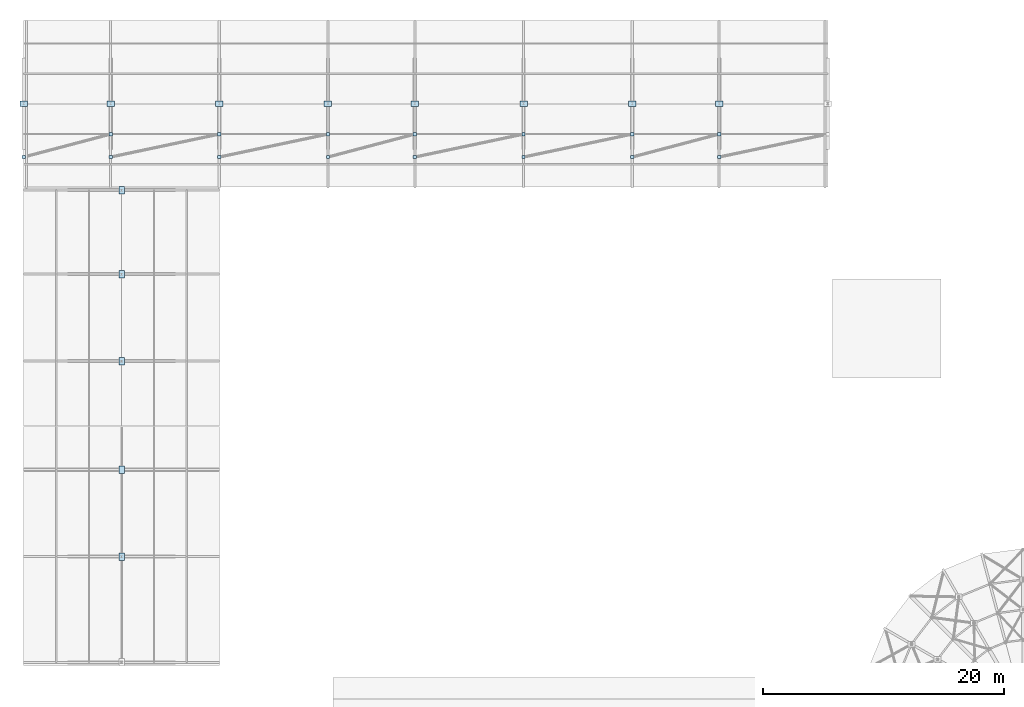
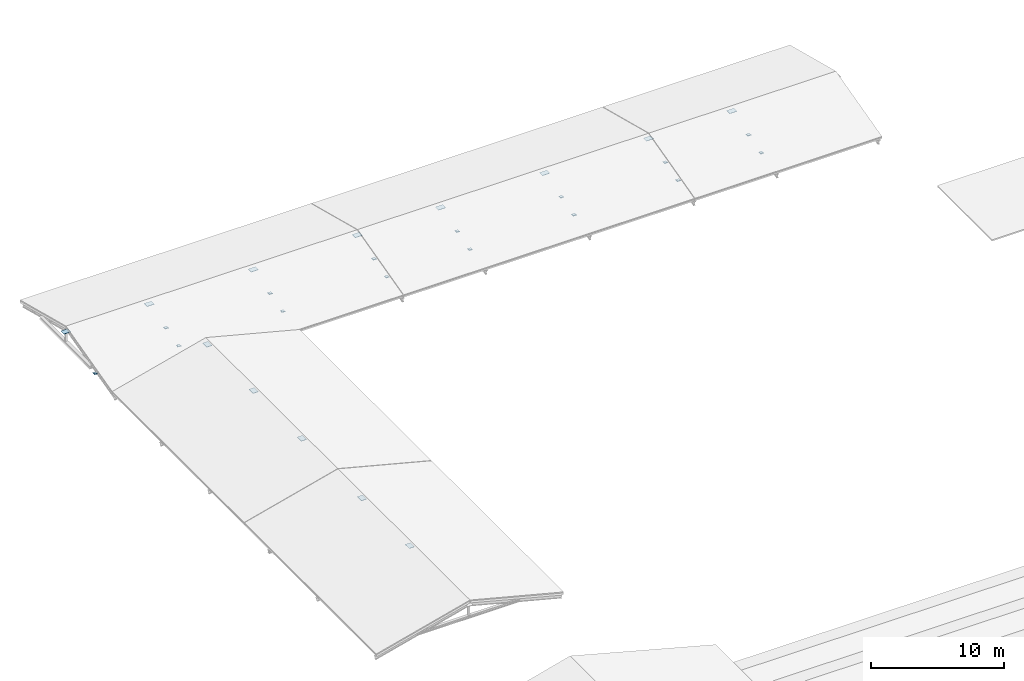
# One storey, part 26 of 31: 28 plates.
"""IFC4 building model written with IfcOpenShell, lengths in metres."""

from ifc_helpers import new_model, si_unit, direction, frame, origin, origin_2d, place, context, subcontext, project, spatial, rectangle, extrude, material, layer, layer_set, type_object, element, save


model = new_model("IFC4")

# Units and contexts
model_context = context("Model", 3, precision=1e-05, world=origin(), true_north=direction((0.0, 1.0)))
body_context = subcontext(model_context, "Body", "Model", "MODEL_VIEW")
ifc_project = project(units=[si_unit("LENGTHUNIT", "METRE"), si_unit("AREAUNIT", "SQUARE_METRE"), si_unit("VOLUMEUNIT", "CUBIC_METRE"), si_unit("PLANEANGLEUNIT", "RADIAN"), si_unit("MASSUNIT", "GRAM", prefix="KILO")], contexts=[model_context])

# Site, building, storey
site_placement = place(None, origin())
site = spatial("IfcSite", under=ifc_project, at=site_placement, CompositionType="ELEMENT")
building_placement = place(site_placement, origin())
building = spatial("IfcBuilding", under=site, at=building_placement, Name="Clarverna Civic Hall", CompositionType="ELEMENT")
storey_placement = place(building_placement, frame((0.0, 0.0, 31.199951171875)))
storey = spatial("IfcBuildingStorey", under=building, at=storey_placement, Name="RF", CompositionType="ELEMENT", Elevation=31.199951171875)

# Plates
ifc_material = material(Name="Steel S355", Category="steel")
ifc_layer_1 = layer(ifc_material, 0.02001953125)
ifc_layer_set_1 = layer_set([ifc_layer_1], Name="Steel S355")
plate_type_1 = type_object("IfcPlateType", Name="NP-05", PredefinedType="SHEET", material=ifc_layer_set_1)
for number, where, z_axis, x_axis, name in (
    (1, (0.0, 104.699951171875, -10.513427734375), (0.0, 0.0, 1.0), (1.0, 0.0, 0.0), "NP-05-001"),
    (2, (7.199951171875, 106.60009765625, -10.02197265625), (0.0, 0.0, 1.0), (1.0, 0.0, 0.0), "NP-05-002"),
    (3, (7.199951171875, 104.699951171875, -10.513427734375), (0.0, 0.0, 1.0), (1.0, 0.0, 0.0), "NP-05-003"),
    (4, (16.199951171875, 106.60009765625, -10.02197265625), (0.0, 0.0, 1.0), (1.0, 0.0, 0.0), "NP-05-004"),
    (5, (16.199951171875, 104.699951171875, -10.513427734375), (0.0, 0.0, 1.0), (1.0, 0.0, 0.0), "NP-05-005"),
    (6, (25.199951171875, 106.60009765625, -10.02197265625), (0.0, 0.0, 1.0), (1.0, 0.0, 0.0), "NP-05-006"),
    (7, (25.199951171875, 104.699951171875, -10.513427734375), (0.0, 0.0, 1.0), (1.0, 0.0, 0.0), "NP-05-007"),
    (8, (32.39990234375, 106.60009765625, -10.02197265625), (0.0, 0.0, 1.0), (1.0, 0.0, 0.0), "NP-05-008"),
    (9, (32.39990234375, 104.699951171875, -10.513427734375), (0.0, 0.0, 1.0), (1.0, 0.0, 0.0), "NP-05-009"),
    (10, (41.39990234375, 106.60009765625, -10.02197265625), (0.0, 0.0, 1.0), (1.0, 0.0, 0.0), "NP-05-010"),
    (11, (41.39990234375, 104.699951171875, -10.513427734375), (0.0, 0.0, 1.0), (1.0, 0.0, 0.0), "NP-05-011"),
    (12, (50.39990234375, 106.60009765625, -10.02197265625), (0.0, 0.0, 1.0), (1.0, 0.0, 0.0), "NP-05-012"),
    (13, (50.39990234375, 104.699951171875, -10.513427734375), (0.0, 0.0, 1.0), (1.0, 0.0, 0.0), "NP-05-013"),
    (14, (57.60009765625, 106.60009765625, -10.02197265625), (0.0, 0.0, 1.0), (1.0, 0.0, 0.0), "NP-05-014"),
    (15, (57.60009765625, 104.699951171875, -10.513427734375), (0.0, 0.0, 1.0), (1.0, 0.0, 0.0), "NP-05-015"),
):
    element("IfcPlate", number, at=place(storey_placement, frame(where, z_axis=z_axis, x_axis=x_axis)), inside=storey, type_object=plate_type_1, Name=name, PredefinedType="SHEET", context=body_context, shape_type="SweptSolid", body=[
        extrude(rectangle(XDim=0.280029296875, YDim=0.280029296875, at=origin_2d()), origin(), (0.0, 0.0, 1.0), 0.02001953125),
    ])
ifc_layer_2 = layer(ifc_material, 0.02392578125)
ifc_layer_set_2 = layer_set([ifc_layer_2], Name="Steel S355")
plate_type_2 = type_object("IfcPlateType", Name="NP-08", PredefinedType="SHEET", material=ifc_layer_set_2)
for number, where, z_axis, x_axis, name in (
    (16, (0.0, 109.10009765625, -9.38525390625), (0.0, 0.0, 1.0), (1.0, 0.0, 0.0), "NP-08-001"),
    (17, (7.199951171875, 109.10009765625, -9.38525390625), (0.0, 0.0, 1.0), (1.0, 0.0, 0.0), "NP-08-002"),
    (18, (16.199951171875, 109.10009765625, -9.38525390625), (0.0, 0.0, 1.0), (1.0, 0.0, 0.0), "NP-08-003"),
    (19, (25.199951171875, 109.10009765625, -9.38525390625), (0.0, 0.0, 1.0), (1.0, 0.0, 0.0), "NP-08-004"),
    (20, (32.39990234375, 109.10009765625, -9.38525390625), (0.0, 0.0, 1.0), (1.0, 0.0, 0.0), "NP-08-005"),
    (21, (41.39990234375, 109.10009765625, -9.38525390625), (0.0, 0.0, 1.0), (1.0, 0.0, 0.0), "NP-08-006"),
    (22, (50.39990234375, 109.10009765625, -9.38525390625), (0.0, 0.0, 1.0), (1.0, 0.0, 0.0), "NP-08-007"),
    (23, (57.60009765625, 109.10009765625, -9.38525390625), (0.0, 0.0, 1.0), (1.0, 0.0, 0.0), "NP-08-008"),
):
    element("IfcPlate", number, at=place(storey_placement, frame(where, z_axis=z_axis, x_axis=x_axis)), inside=storey, type_object=plate_type_2, Name=name, PredefinedType="SHEET", context=body_context, shape_type="SweptSolid", body=[
        extrude(rectangle(XDim=0.6201171875, YDim=0.4599609375, at=origin_2d()), origin(), (0.0, 0.0, 1.0), 0.030029296875),
    ])
for number, where, z_axis, x_axis, name in (
    (24, (8.10009765625, 71.60009765625, -9.0751953125), (0.0, 0.0, 1.0), (1.0, 0.0, 0.0), "NP-08-011"),
    (25, (8.10009765625, 78.800048828125, -9.0751953125), (0.0, 0.0, 1.0), (1.0, 0.0, 0.0), "NP-08-012"),
    (26, (8.10009765625, 87.800048828125, -9.0751953125), (0.0, 0.0, 1.0), (1.0, 0.0, 0.0), "NP-08-013"),
    (27, (8.10009765625, 95.0, -9.0751953125), (0.0, 0.0, 1.0), (1.0, 0.0, 0.0), "NP-08-014"),
    (28, (8.10009765625, 101.9599609375, -9.0751953125), (0.0, 0.0, 1.0), (1.0, 0.0, 0.0), "NP-08-015"),
):
    element("IfcPlate", number, at=place(storey_placement, frame(where, z_axis=z_axis, x_axis=x_axis)), inside=storey, type_object=plate_type_2, Name=name, PredefinedType="SHEET", context=body_context, shape_type="SweptSolid", body=[
        extrude(rectangle(XDim=0.4599609375, YDim=0.6201171875, at=origin_2d()), origin(), (0.0, 0.0, 1.0), 0.030029296875),
    ])

save(model, "model.ifc")
